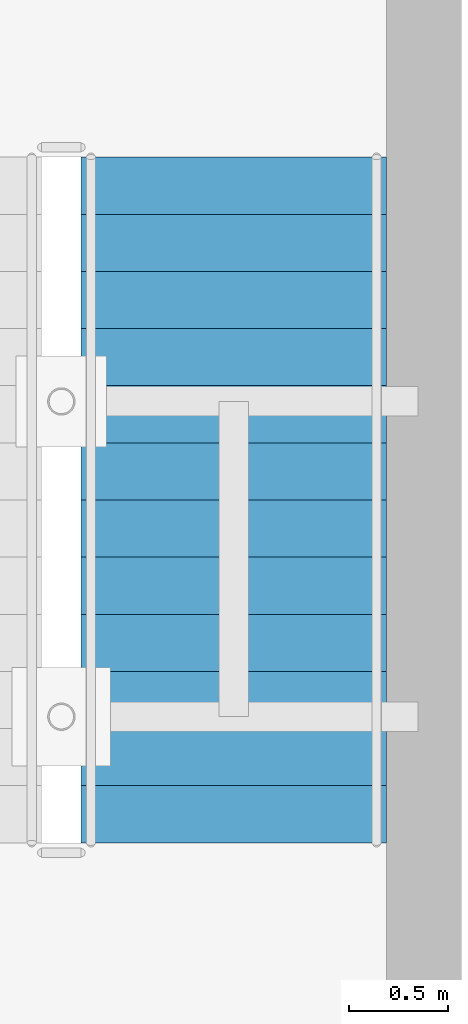
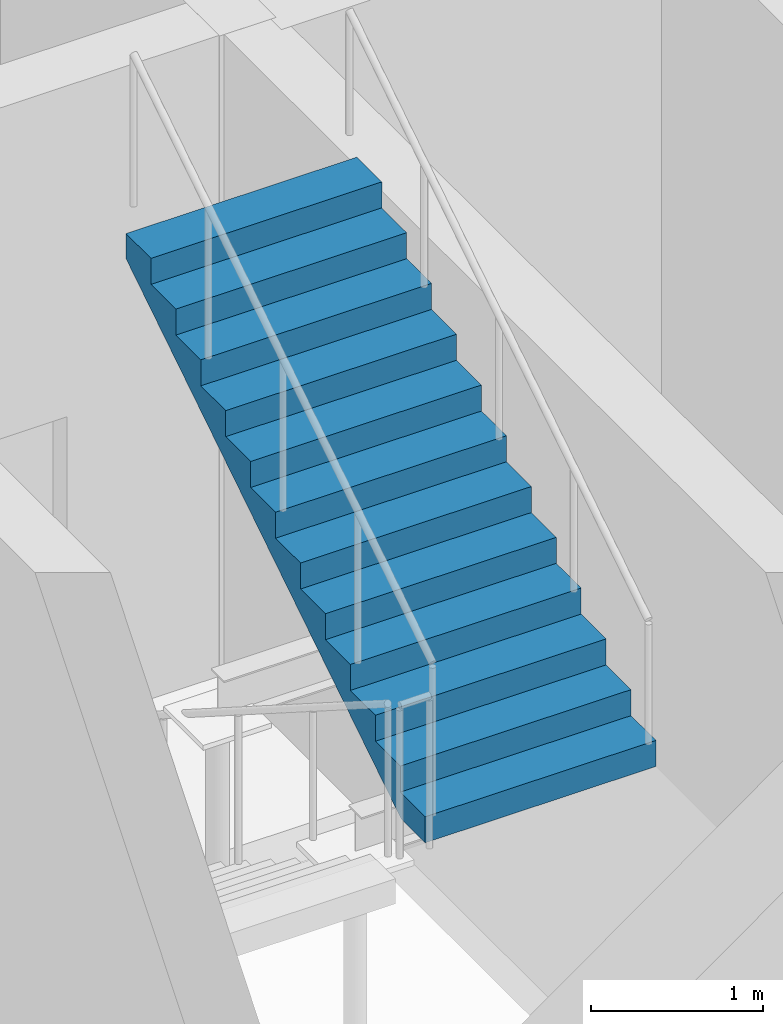
# One storey, part 74 of 76: 1 stair flight, 1 element without a shape of its own.
"""IFC4 building model written with IfcOpenShell, lengths in metres."""

from ifc_helpers import new_model, si_unit, direction, frame, origin, place, context, subcontext, project, spatial, polyline, outline, extrude, material, type_object, element, aggregate, save


model = new_model("IFC4")

# Units and contexts
model_context = context("Model", 3, precision=1e-05, world=origin(), true_north=direction((0.0, 1.0)))
body_context = subcontext(model_context, "Body", "Model", "MODEL_VIEW")
ifc_project = project(units=[si_unit("LENGTHUNIT", "METRE"), si_unit("AREAUNIT", "SQUARE_METRE"), si_unit("VOLUMEUNIT", "CUBIC_METRE"), si_unit("PLANEANGLEUNIT", "RADIAN"), si_unit("MASSUNIT", "GRAM", prefix="KILO")], contexts=[model_context])

# Site, building, storey
site_placement = place(None, origin())
site = spatial("IfcSite", under=ifc_project, at=site_placement, CompositionType="ELEMENT")
building_placement = place(site_placement, origin())
building = spatial("IfcBuilding", under=site, at=building_placement, Name="Krzemoval Escarpment Law Courts", CompositionType="ELEMENT")
storey_placement = place(building_placement, frame((0.0, 0.0, 20.39990234375)))
storey = spatial("IfcBuildingStorey", under=building, at=storey_placement, Name="L04", CompositionType="ELEMENT", Elevation=20.39990234375)

# Stair, stair flight
ifc_material_1 = material(Name="Concrete C40/50", Category="concrete")
stair_type = type_object("IfcStairType", Name="STR-CORE-1550", PredefinedType="HALF_TURN_STAIR", material=ifc_material_1)
stair_placement = place(storey_placement, origin())
stair = element("IfcStair", 1, at=stair_placement, inside=storey, type_object=stair_type, Name="L04 ST3", PredefinedType="HALF_TURN_STAIR")
ifc_material_2 = material(Name="Concrete C40/50", Category="concrete")
stair_flight_type = type_object("IfcStairFlightType", Name="STF-CORE-1550", PredefinedType="STRAIGHT", material=ifc_material_2)
stair_flight_placement = place(storey_placement, frame((146.425048828125, 98.219970703125, 2.400146484375), z_axis=(0.0, 0.0, 1.0), x_axis=(0.0, 1.0, 0.0)))
stair_flight = element("IfcStairFlight", 2, at=stair_flight_placement, type_object=stair_flight_type, Name="ST3 flight 2", NumberOfRisers=13, NumberOfTreads=12, PredefinedType="STRAIGHT", RiserHeight=0.184615385, TreadLength=0.29, context=body_context, shape_type="SweptSolid", body=[
    extrude(outline(polyline([(0.0, 0.0), (0.0, 0.1845703125), (0.2900390625, 0.1845703125), (0.2900390625, 0.369140625), (0.580078125, 0.369140625), (0.580078125, 0.553955078125), (0.8701171875, 0.553955078125), (0.8701171875, 0.738525390625), (1.159912109375, 0.738525390625), (1.159912109375, 0.923095703125), (1.449951171875, 0.923095703125), (1.449951171875, 1.107666015625), (1.739990234375, 1.107666015625), (1.739990234375, 1.292236328125), (2.030029296875, 1.292236328125), (2.030029296875, 1.476806640625), (2.320068359375, 1.476806640625), (2.320068359375, 1.66162109375), (2.610107421875, 1.66162109375), (2.610107421875, 1.84619140625), (2.89990234375, 1.84619140625), (2.89990234375, 2.03076171875), (3.18994140625, 2.03076171875), (3.18994140625, 2.21533203125), (3.47998046875, 2.21533203125), (3.47998046875, 2.39990234375), (3.47998046875, 2.03759765625), (0.279052734375, 0.0), (0.0, 0.0)])), frame((0.0, 0.77490234375, 0.0), z_axis=(0.0, -1.0, 0.0), x_axis=(1.0, 0.0, 0.0)), (0.0, 0.0, 1.0), 1.550048828125),
])
aggregate(stair, [stair_flight])

save(model, "model.ifc")
